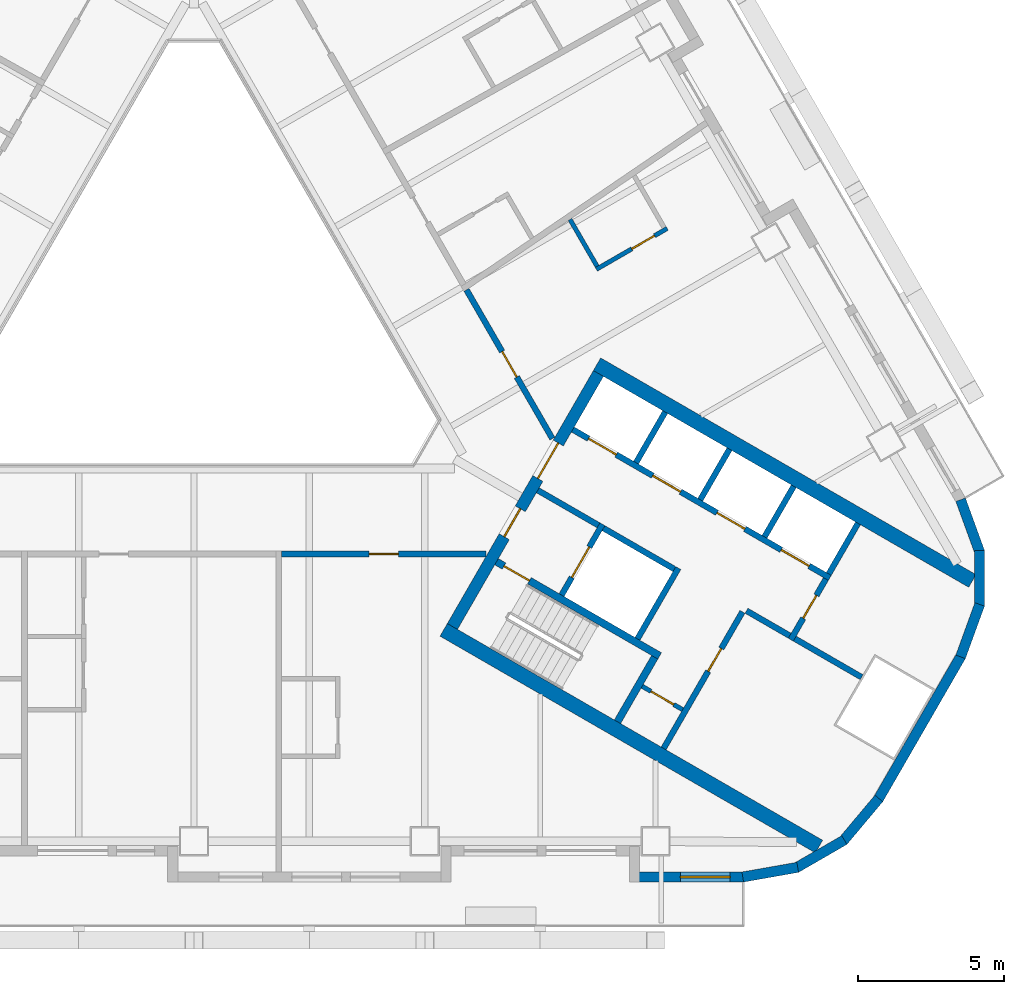
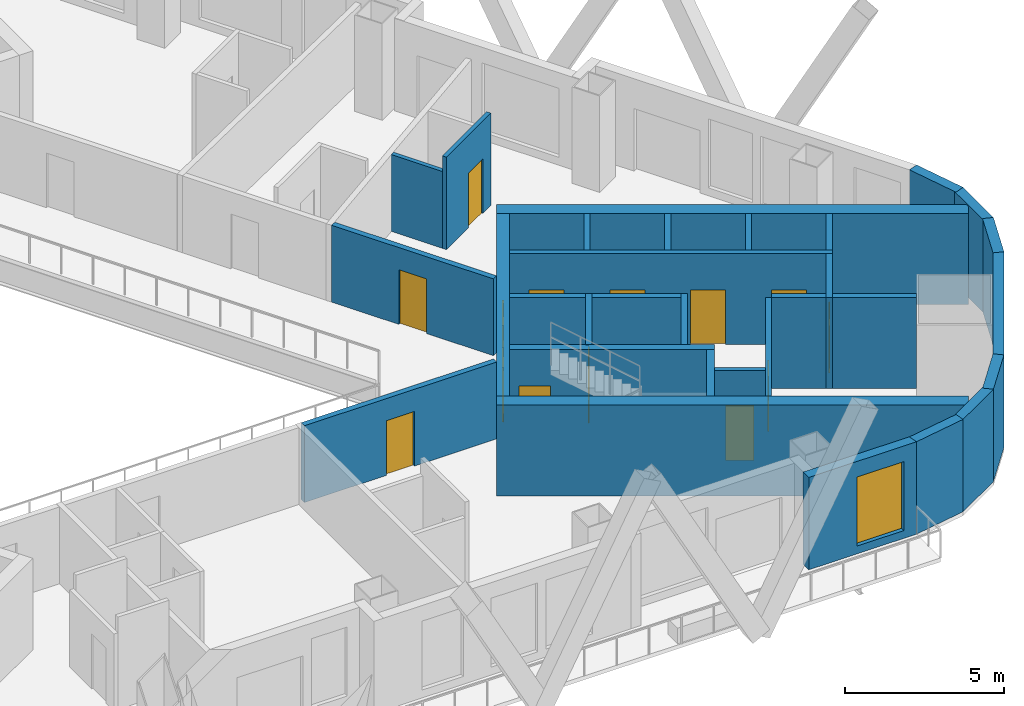
# One storey, part 5 of 14: 31 walls, 14 doors, 1 window, 15 openings.
"""IFC4 building model written with IfcOpenShell, lengths in metres."""

from ifc_helpers import new_model, si_unit, direction, frame, frame_2d, origin, place, context, subcontext, project, spatial, rectangle, extrude, material, layer, layer_set, type_object, element, fill, save


model = new_model("IFC4")

# Units and contexts
model_context = context("Model", 3, precision=1e-05, world=origin(), true_north=direction((0.0, 1.0)))
body_context = subcontext(model_context, "Body", "Model", "MODEL_VIEW")
ifc_project = project(units=[si_unit("LENGTHUNIT", "METRE"), si_unit("AREAUNIT", "SQUARE_METRE"), si_unit("VOLUMEUNIT", "CUBIC_METRE"), si_unit("PLANEANGLEUNIT", "RADIAN"), si_unit("MASSUNIT", "GRAM", prefix="KILO")], contexts=[model_context])

# Site, building, storey
site_placement = place(None, origin())
site = spatial("IfcSite", under=ifc_project, at=site_placement, CompositionType="ELEMENT")
building_placement = place(site_placement, origin())
building = spatial("IfcBuilding", under=site, at=building_placement, Name="Apuvela Tower Hotel", CompositionType="ELEMENT")
storey_placement = place(building_placement, frame((0.0, 0.0, 53.89990234375)))
storey = spatial("IfcBuildingStorey", under=building, at=storey_placement, Name="L10", CompositionType="ELEMENT", Elevation=53.89990234375)

# Wall, openings, doors
ifc_material_1 = material(Name="Concrete C50/60", Category="concrete")
ifc_layer_1 = layer(ifc_material_1, 0.39990234375)
ifc_layer_set_1 = layer_set([ifc_layer_1], Name="COR-WALL-CORE-400")
wall_type_1 = type_object("IfcWallType", Name="COR-WALL-CORE-400", PredefinedType="SHEAR", material=ifc_layer_set_1)
wall_1_placement = place(storey_placement, frame((8.844970703125, -10.880126953125, 0.0), z_axis=(0.0, 0.0, 1.0), x_axis=(0.500004234368, 0.866022959057, 0.0)))
wall_1 = element("IfcWall", 1, at=wall_1_placement, inside=storey, type_object=wall_type_1, Name="Core wall SE", PredefinedType="SHEAR", context=body_context, shape_type="SweptSolid", body=[
    extrude(rectangle(XDim=10.0, YDim=0.39990234375, at=frame_2d((5.0, 0.0))), origin(), (0.0, 0.0, 1.0), 3.5),
])
opening_1_placement = place(wall_1_placement, frame((3.550048828125, 0.0, 0.0)))
opening_1 = element("IfcOpeningElement", 2, at=opening_1_placement, cuts=wall_1, Name="Opening E-FD", PredefinedType="OPENING", context=body_context, shape_type="SweptSolid", body=[
    extrude(rectangle(XDim=1.10009765625, YDim=2.10009765625, at=frame_2d((0.550048828125, 1.050048828125))), frame((0.0, 0.2099609375, 0.0), z_axis=(0.0, -1.0, 0.0), x_axis=(1.0, 0.0, 0.0)), (0.0, 0.0, 1.0), 0.419921875),
])
opening_2_placement = place(wall_1_placement, frame((5.85009765625, 0.0, 0.0)))
opening_2 = element("IfcOpeningElement", 3, at=opening_2_placement, cuts=wall_1, Name="Opening E-GD", PredefinedType="OPENING", context=body_context, shape_type="SweptSolid", body=[
    extrude(rectangle(XDim=1.39990234375, YDim=2.10009765625, at=frame_2d((0.699951171875, 1.050048828125))), frame((0.0, 0.2099609375, 0.0), z_axis=(0.0, -1.0, 0.0), x_axis=(1.0, 0.0, 0.0)), (0.0, 0.0, 1.0), 0.419921875),
])
ifc_material_2 = material(Name="Steel fire door, powder coated", Category="steel")
door_type_1 = type_object("IfcDoorType", Name="COR-FD-1100", OperationType="NOTDEFINED", PredefinedType="DOOR", material=ifc_material_2)
door_1_placement = place(opening_1_placement, frame((1.10009765625, 0.0, 0.0), z_axis=(0.0, 0.0, 1.0), x_axis=(-1.0, 0.0, 0.0)))
door_1 = element("IfcDoor", 4, at=door_1_placement, inside=storey, type_object=door_type_1, Name="Firefighting lobby door E-FD", OperationType="SINGLE_SWING_LEFT", OverallHeight=2.10009765625, OverallWidth=1.10009765625, PredefinedType="DOOR", context=body_context, shape_type="SweptSolid", body=[
    extrude(rectangle(XDim=1.10009765625, YDim=2.10009765625, at=frame_2d((0.550048828125, 1.050048828125))), frame((0.0, 0.02490234375, 0.0), z_axis=(0.0, -1.0, 0.0), x_axis=(1.0, 0.0, 0.0)), (0.0, 0.0, 1.0), 0.050048828125),
])
fill(opening_1, door_1)
ifc_material_3 = material(Name="Glazed steel fire door", Category="steel")
door_type_2 = type_object("IfcDoorType", Name="COR-GD-1400", OperationType="DOUBLE_DOOR_SINGLE_SWING", PredefinedType="DOOR", material=ifc_material_3)
door_2_placement = place(opening_2_placement, frame((1.39990234375, 0.0, 0.0), z_axis=(0.0, 0.0, 1.0), x_axis=(-1.0, 0.0, 0.0)))
door_2 = element("IfcDoor", 5, at=door_2_placement, inside=storey, type_object=door_type_2, Name="Lift lobby door E-GD", OperationType="DOUBLE_DOOR_SINGLE_SWING", OverallHeight=2.10009765625, OverallWidth=1.39990234375, PredefinedType="DOOR", context=body_context, shape_type="SweptSolid", body=[
    extrude(rectangle(XDim=1.39990234375, YDim=2.10009765625, at=frame_2d((0.699951171875, 1.050048828125))), frame((0.0, 0.02490234375, 0.0), z_axis=(0.0, -1.0, 0.0), x_axis=(1.0, 0.0, 0.0)), (0.0, 0.0, 1.0), 0.050048828125),
])
fill(opening_2, door_2)

# Walls
ifc_layer_2 = layer(ifc_material_1, 0.5)
ifc_layer_set_2 = layer_set([ifc_layer_2], Name="COR-WALL-CORE-500")
wall_type_2 = type_object("IfcWallType", Name="COR-WALL-CORE-500", PredefinedType="SHEAR", material=ifc_layer_set_2)
for number, where, z_axis, x_axis, name in (
    (6, (8.546630859375, -10.99658203125, 0.0), (0.0, 0.0, 1.0), (0.866025009528, -0.500000682871, 0.0), "Core wall SE"),
    (7, (13.796630859375, -1.9033203125, 0.0), (0.0, 0.0, 1.0), (0.866025009528, -0.500000682871, 0.0), "Core wall SE"),
):
    element("IfcWall", number, at=place(storey_placement, frame(where, z_axis=z_axis, x_axis=x_axis)), inside=storey, type_object=wall_type_2, Name=name, PredefinedType="SHEAR", context=body_context, shape_type="SweptSolid", body=[
        extrude(rectangle(XDim=14.8369140625, YDim=0.5, at=frame_2d((7.41845703125, 0.0))), origin(), (0.0, 0.0, 1.0), 3.5),
    ])

# Wall, opening, door
ifc_material_4 = material(Name="Blockwork 150 mm plastered", Category="masonry")
ifc_layer_3 = layer(ifc_material_4, 0.14990234375)
ifc_layer_set_3 = layer_set([ifc_layer_3], Name="COR-WALL-PART-150")
wall_type_3 = type_object("IfcWallType", Name="COR-WALL-PART-150", PredefinedType="PARTITIONING", material=ifc_layer_set_3)
wall_2_placement = place(storey_placement, frame((15.341552734375, -12.927734375, 0.0), z_axis=(0.0, 0.0, 1.0), x_axis=(0.865989903783, -0.500061482766, 0.0)))
wall_2 = element("IfcWall", 8, at=wall_2_placement, inside=storey, type_object=wall_type_3, Name="Partition SE", PredefinedType="PARTITIONING", context=body_context, shape_type="SweptSolid", body=[
    extrude(rectangle(XDim=1.599853515625, YDim=0.14990234375, at=frame_2d((0.7998046875, 0.0))), origin(), (0.0, 0.0, 1.0), 3.5),
])
opening_3_placement = place(wall_2_placement, frame((0.35009765625, 0.0, 0.0)))
opening_3 = element("IfcOpeningElement", 9, at=opening_3_placement, cuts=wall_2, Name="Opening E-RD", PredefinedType="OPENING", context=body_context, shape_type="SweptSolid", body=[
    extrude(rectangle(XDim=0.89990234375, YDim=2.10009765625, at=frame_2d((0.449951171875, 1.050048828125))), frame((0.0, 0.0849609375, 0.0), z_axis=(0.0, -1.0, 0.0), x_axis=(1.0, 0.0, 0.0)), (0.0, 0.0, 1.0), 0.169921875),
])
ifc_material_5 = material(Name="Steel access door, powder coated", Category="steel")
door_type_3 = type_object("IfcDoorType", Name="COR-RD-900", OperationType="NOTDEFINED", PredefinedType="DOOR", material=ifc_material_5)
door_3_placement = place(opening_3_placement, frame((0.89990234375, 0.0, 0.0), z_axis=(0.0, 0.0, 1.0), x_axis=(-1.0, 0.0, 0.0)))
door_3 = element("IfcDoor", 10, at=door_3_placement, inside=storey, type_object=door_type_3, Name="Riser door E-RD", OperationType="SINGLE_SWING_LEFT", OverallHeight=2.10009765625, OverallWidth=0.89990234375, PredefinedType="DOOR", context=body_context, shape_type="SweptSolid", body=[
    extrude(rectangle(XDim=0.89990234375, YDim=2.10009765625, at=frame_2d((0.449951171875, 1.050048828125))), frame((0.0, 0.02490234375, 0.0), z_axis=(0.0, -1.0, 0.0), x_axis=(1.0, 0.0, 0.0)), (0.0, 0.0, 1.0), 0.050048828125),
])
fill(opening_3, door_3)

ifc_material_6 = material(Name="Blockwork 200 mm plastered", Category="masonry")
ifc_layer_4 = layer(ifc_material_6, 0.199951171875)
ifc_layer_set_4 = layer_set([ifc_layer_4], Name="COR-WALL-PART-200")
wall_type_4 = type_object("IfcWallType", Name="COR-WALL-PART-200", PredefinedType="PARTITIONING", material=ifc_layer_set_4)
wall_3_placement = place(storey_placement, frame((16.076171875, -15.05517578125, 0.0), z_axis=(0.0, 0.0, 1.0), x_axis=(0.499995103361, 0.866028230842, 0.0)))
wall_3 = element("IfcWall", 11, at=wall_3_placement, inside=storey, type_object=wall_type_4, Name="Partition SE", PredefinedType="PARTITIONING", context=body_context, shape_type="SweptSolid", body=[
    extrude(rectangle(XDim=5.39990234375, YDim=0.199951171875, at=frame_2d((2.699951171875, 0.0))), origin(), (0.0, 0.0, 1.0), 3.5),
])
opening_4_placement = place(wall_3_placement, frame((3.050048828125, 0.0, 0.0)))
opening_4 = element("IfcOpeningElement", 12, at=opening_4_placement, cuts=wall_3, Name="Opening E-RS1", PredefinedType="OPENING", context=body_context, shape_type="SweptSolid", body=[
    extrude(rectangle(XDim=0.89990234375, YDim=2.10009765625, at=frame_2d((0.449951171875, 1.050048828125))), frame((0.0, 0.10986328125, 0.0), z_axis=(0.0, -1.0, 0.0), x_axis=(1.0, 0.0, 0.0)), (0.0, 0.0, 1.0), 0.219970703125),
])
door_type_4 = type_object("IfcDoorType", Name="COR-DR-900", OperationType="NOTDEFINED", PredefinedType="DOOR", material=ifc_material_2)
door_4_placement = place(opening_4_placement, frame((0.89990234375, 0.0, 0.0), z_axis=(0.0, 0.0, 1.0), x_axis=(-1.0, 0.0, 0.0)))
door_4 = element("IfcDoor", 13, at=door_4_placement, inside=storey, type_object=door_type_4, Name="Store door E-RS1", OperationType="SINGLE_SWING_LEFT", OverallHeight=2.10009765625, OverallWidth=0.89990234375, PredefinedType="DOOR", context=body_context, shape_type="SweptSolid", body=[
    extrude(rectangle(XDim=0.89990234375, YDim=2.10009765625, at=frame_2d((0.449951171875, 1.050048828125))), frame((0.0, 0.02490234375, 0.0), z_axis=(0.0, -1.0, 0.0), x_axis=(1.0, 0.0, 0.0)), (0.0, 0.0, 1.0), 0.050048828125),
])
fill(opening_4, door_4)

# Wall
ifc_layer_5 = layer(ifc_material_1, 0.199951171875)
ifc_layer_set_5 = layer_set([ifc_layer_5], Name="COR-WALL-SHAFT-200")
wall_type_5 = type_object("IfcWallType", Name="COR-WALL-SHAFT-200", PredefinedType="SHEAR", material=ifc_layer_set_5)
wall_4_placement = place(storey_placement, frame((15.181396484375, -11.305419921875, 0.0), z_axis=(0.0, 0.0, 1.0), x_axis=(0.49994636267, 0.866056369097, 0.0)))
element("IfcWall", 14, at=wall_4_placement, inside=storey, type_object=wall_type_5, Name="Shaft wall SE", PredefinedType="SHEAR", context=body_context, shape_type="SweptSolid", body=[
    extrude(rectangle(XDim=2.800048828125, YDim=0.199951171875, at=frame_2d((1.39990234375, 0.0))), origin(), (0.0, 0.0, 1.0), 3.5),
])

# Wall, opening, door
wall_5_placement = place(storey_placement, frame((12.583251953125, -9.805419921875, 0.0), z_axis=(0.0, 0.0, 1.0), x_axis=(0.49994636267, 0.866056369097, 0.0)))
wall_5 = element("IfcWall", 15, at=wall_5_placement, inside=storey, type_object=wall_type_5, Name="Shaft wall SE", PredefinedType="SHEAR", context=body_context, shape_type="SweptSolid", body=[
    extrude(rectangle(XDim=2.800048828125, YDim=0.199951171875, at=frame_2d((1.39990234375, 0.0))), origin(), (0.0, 0.0, 1.0), 3.5),
])
opening_5_placement = place(wall_5_placement, frame((0.699951171875, 0.0, 0.0)))
opening_5 = element("IfcOpeningElement", 16, at=opening_5_placement, cuts=wall_5, Name="Opening E-LD-FS3", PredefinedType="OPENING", context=body_context, shape_type="SweptSolid", body=[
    extrude(rectangle(XDim=1.199951171875, YDim=2.10009765625, at=frame_2d((0.60009765625, 1.050048828125))), frame((0.0, 0.10986328125, 0.0), z_axis=(0.0, -1.0, 0.0), x_axis=(1.0, 0.0, 0.0)), (0.0, 0.0, 1.0), 0.219970703125),
])
ifc_material_7 = material(Name="Stainless steel lift landing door", Category="steel")
door_type_5 = type_object("IfcDoorType", Name="COR-LD-1200", OperationType="DOUBLE_DOOR_SLIDING", PredefinedType="DOOR", material=ifc_material_7)
door_5_placement = place(opening_5_placement, origin())
door_5 = element("IfcDoor", 17, at=door_5_placement, inside=storey, type_object=door_type_5, Name="Lift landing door E-LD-FS3", OperationType="DOUBLE_DOOR_SLIDING", OverallHeight=2.10009765625, OverallWidth=1.199951171875, PredefinedType="DOOR", context=body_context, shape_type="SweptSolid", body=[
    extrude(rectangle(XDim=1.199951171875, YDim=2.10009765625, at=frame_2d((0.60009765625, 1.050048828125))), frame((0.0, 0.02490234375, 0.0), z_axis=(0.0, -1.0, 0.0), x_axis=(1.0, 0.0, 0.0)), (0.0, 0.0, 1.0), 0.050048828125),
])
fill(opening_5, door_5)

# Walls
wall_6_placement = place(storey_placement, frame((11.76806640625, -6.217041015625, 0.0), z_axis=(0.0, 0.0, 1.0), x_axis=(0.866050077142, -0.499957262057, 0.0)))
element("IfcWall", 18, at=wall_6_placement, inside=storey, type_object=wall_type_5, Name="Shaft wall SE", PredefinedType="SHEAR", context=body_context, shape_type="SweptSolid", body=[
    extrude(rectangle(XDim=2.400146484375, YDim=0.199951171875, at=frame_2d((1.2001953125, 0.0))), origin(), (0.0, 0.0, 1.0), 3.5),
])
wall_7_placement = place(storey_placement, frame((14.019775390625, -7.51708984375, 0.0), z_axis=(0.0, 0.0, 1.0), x_axis=(0.866034573852, -0.49998411664, 0.0)))
element("IfcWall", 19, at=wall_7_placement, inside=storey, type_object=wall_type_5, Name="Shaft wall SE", PredefinedType="SHEAR", context=body_context, shape_type="SweptSolid", body=[
    extrude(rectangle(XDim=2.7998046875, YDim=0.199951171875, at=frame_2d((1.39990234375, 0.0))), origin(), (0.0, 0.0, 1.0), 3.5),
])

# Wall, openings, doors
wall_8_placement = place(storey_placement, frame((12.968017578125, -4.138427734375, 0.0), z_axis=(0.0, 0.0, 1.0), x_axis=(0.866028328073, -0.49999493495, 0.0)))
wall_8 = element("IfcWall", 20, at=wall_8_placement, inside=storey, type_object=wall_type_5, Name="Shaft wall SE", PredefinedType="SHEAR", context=body_context, shape_type="SweptSolid", body=[
    extrude(rectangle(XDim=10.16015625, YDim=0.199951171875, at=frame_2d((5.080078125, 0.0))), origin(), (0.0, 0.0, 1.0), 3.5),
])
opening_6_placement = place(wall_8_placement, frame((0.6201171875, 0.0, 0.0)))
opening_6 = element("IfcOpeningElement", 21, at=opening_6_placement, cuts=wall_8, Name="Opening E-LD-LR1", PredefinedType="OPENING", context=body_context, shape_type="SweptSolid", body=[
    extrude(rectangle(XDim=1.10009765625, YDim=2.10009765625, at=frame_2d((0.550048828125, 1.050048828125))), frame((0.0, 0.10986328125, 0.0), z_axis=(0.0, -1.0, 0.0), x_axis=(1.0, 0.0, 0.0)), (0.0, 0.0, 1.0), 0.219970703125),
])
opening_7_placement = place(wall_8_placement, frame((3.159912109375, 0.0, 0.0)))
opening_7 = element("IfcOpeningElement", 22, at=opening_7_placement, cuts=wall_8, Name="Opening E-LD-LR2", PredefinedType="OPENING", context=body_context, shape_type="SweptSolid", body=[
    extrude(rectangle(XDim=1.10009765625, YDim=2.10009765625, at=frame_2d((0.550048828125, 1.050048828125))), frame((0.0, 0.10986328125, 0.0), z_axis=(0.0, -1.0, 0.0), x_axis=(1.0, 0.0, 0.0)), (0.0, 0.0, 1.0), 0.219970703125),
])
opening_8_placement = place(wall_8_placement, frame((5.699951171875, 0.0, 0.0)))
opening_8 = element("IfcOpeningElement", 23, at=opening_8_placement, cuts=wall_8, Name="Opening E-LD-LR3", PredefinedType="OPENING", context=body_context, shape_type="SweptSolid", body=[
    extrude(rectangle(XDim=1.10009765625, YDim=2.10009765625, at=frame_2d((0.550048828125, 1.050048828125))), frame((0.0, 0.10986328125, 0.0), z_axis=(0.0, -1.0, 0.0), x_axis=(1.0, 0.0, 0.0)), (0.0, 0.0, 1.0), 0.219970703125),
])
opening_9_placement = place(wall_8_placement, frame((8.239990234375, 0.0, 0.0)))
opening_9 = element("IfcOpeningElement", 24, at=opening_9_placement, cuts=wall_8, Name="Opening E-LD-LR4", PredefinedType="OPENING", context=body_context, shape_type="SweptSolid", body=[
    extrude(rectangle(XDim=1.10009765625, YDim=2.10009765625, at=frame_2d((0.550048828125, 1.050048828125))), frame((0.0, 0.10986328125, 0.0), z_axis=(0.0, -1.0, 0.0), x_axis=(1.0, 0.0, 0.0)), (0.0, 0.0, 1.0), 0.219970703125),
])
door_type_6 = type_object("IfcDoorType", Name="COR-LD-1100", OperationType="DOUBLE_DOOR_SLIDING", PredefinedType="DOOR", material=ifc_material_7)
door_6_placement = place(opening_6_placement, origin())
door_6 = element("IfcDoor", 25, at=door_6_placement, inside=storey, type_object=door_type_6, Name="Lift landing door E-LD-LR1", OperationType="DOUBLE_DOOR_SLIDING", OverallHeight=2.10009765625, OverallWidth=1.10009765625, PredefinedType="DOOR", context=body_context, shape_type="SweptSolid", body=[
    extrude(rectangle(XDim=1.10009765625, YDim=2.10009765625, at=frame_2d((0.550048828125, 1.050048828125))), frame((0.0, 0.02490234375, 0.0), z_axis=(0.0, -1.0, 0.0), x_axis=(1.0, 0.0, 0.0)), (0.0, 0.0, 1.0), 0.050048828125),
])
fill(opening_6, door_6)
door_7_placement = place(opening_7_placement, origin())
door_7 = element("IfcDoor", 26, at=door_7_placement, inside=storey, type_object=door_type_6, Name="Lift landing door E-LD-LR2", OperationType="DOUBLE_DOOR_SLIDING", OverallHeight=2.10009765625, OverallWidth=1.10009765625, PredefinedType="DOOR", context=body_context, shape_type="SweptSolid", body=[
    extrude(rectangle(XDim=1.10009765625, YDim=2.10009765625, at=frame_2d((0.550048828125, 1.050048828125))), frame((0.0, 0.02490234375, 0.0), z_axis=(0.0, -1.0, 0.0), x_axis=(1.0, 0.0, 0.0)), (0.0, 0.0, 1.0), 0.050048828125),
])
fill(opening_7, door_7)
door_8_placement = place(opening_8_placement, origin())
door_8 = element("IfcDoor", 27, at=door_8_placement, inside=storey, type_object=door_type_6, Name="Lift landing door E-LD-LR3", OperationType="DOUBLE_DOOR_SLIDING", OverallHeight=2.10009765625, OverallWidth=1.10009765625, PredefinedType="DOOR", context=body_context, shape_type="SweptSolid", body=[
    extrude(rectangle(XDim=1.10009765625, YDim=2.10009765625, at=frame_2d((0.550048828125, 1.050048828125))), frame((0.0, 0.02490234375, 0.0), z_axis=(0.0, -1.0, 0.0), x_axis=(1.0, 0.0, 0.0)), (0.0, 0.0, 1.0), 0.050048828125),
])
fill(opening_8, door_8)
door_9_placement = place(opening_9_placement, origin())
door_9 = element("IfcDoor", 28, at=door_9_placement, inside=storey, type_object=door_type_6, Name="Lift landing door E-LD-LR4", OperationType="DOUBLE_DOOR_SLIDING", OverallHeight=2.10009765625, OverallWidth=1.10009765625, PredefinedType="DOOR", context=body_context, shape_type="SweptSolid", body=[
    extrude(rectangle(XDim=1.10009765625, YDim=2.10009765625, at=frame_2d((0.550048828125, 1.050048828125))), frame((0.0, 0.02490234375, 0.0), z_axis=(0.0, -1.0, 0.0), x_axis=(1.0, 0.0, 0.0)), (0.0, 0.0, 1.0), 0.050048828125),
])
fill(opening_9, door_9)

# Wall, opening, door
wall_9_placement = place(storey_placement, frame((20.430419921875, -11.33349609375, 0.0), z_axis=(0.0, 0.0, 1.0), x_axis=(0.500001309137, 0.866024647952, 0.0)))
wall_9 = element("IfcWall", 29, at=wall_9_placement, inside=storey, type_object=wall_type_5, Name="Shaft wall SE", PredefinedType="SHEAR", context=body_context, shape_type="SweptSolid", body=[
    extrude(rectangle(XDim=2.39990234375, YDim=0.199951171875, at=frame_2d((1.199951171875, 0.0))), origin(), (0.0, 0.0, 1.0), 3.5),
])
opening_10_placement = place(wall_9_placement, frame((0.85009765625, 0.0, 0.0)))
opening_10 = element("IfcOpeningElement", 30, at=opening_10_placement, cuts=wall_9, Name="Opening E-REP", PredefinedType="OPENING", context=body_context, shape_type="SweptSolid", body=[
    extrude(rectangle(XDim=0.89990234375, YDim=2.10009765625, at=frame_2d((0.449951171875, 1.050048828125))), frame((0.0, 0.10986328125, 0.0), z_axis=(0.0, -1.0, 0.0), x_axis=(1.0, 0.0, 0.0)), (0.0, 0.0, 1.0), 0.219970703125),
])
door_10_placement = place(opening_10_placement, frame((0.89990234375, 0.0, 0.0), z_axis=(0.0, 0.0, 1.0), x_axis=(-1.0, 0.0, 0.0)))
door_10 = element("IfcDoor", 31, at=door_10_placement, inside=storey, type_object=door_type_4, Name="Store door E-REP", OperationType="SINGLE_SWING_RIGHT", OverallHeight=2.10009765625, OverallWidth=0.89990234375, PredefinedType="DOOR", context=body_context, shape_type="SweptSolid", body=[
    extrude(rectangle(XDim=0.89990234375, YDim=2.10009765625, at=frame_2d((0.449951171875, 1.050048828125))), frame((0.0, 0.02490234375, 0.0), z_axis=(0.0, -1.0, 0.0), x_axis=(1.0, 0.0, 0.0)), (0.0, 0.0, 1.0), 0.050048828125),
])
fill(opening_10, door_10)

# Walls
wall_10_placement = place(storey_placement, frame((18.912841796875, -10.342041015625, 0.0), z_axis=(0.0, 0.0, 1.0), x_axis=(0.866038183914, -0.499977863513, 0.0)))
element("IfcWall", 32, at=wall_10_placement, inside=storey, type_object=wall_type_5, Name="Shaft wall SE", PredefinedType="SHEAR", context=body_context, shape_type="SweptSolid", body=[
    extrude(rectangle(XDim=1.7099609375, YDim=0.199951171875, at=frame_2d((0.85498046875, 0.0))), origin(), (0.0, 0.0, 1.0), 3.5),
])
for number, where, z_axis, x_axis, name in (
    (33, (15.131103515625, -5.27197265625, 0.0), (0.0, 0.0, 1.0), (0.499972520799, 0.866041268327, 0.0), "Shaft wall SE"),
    (34, (17.330810546875, -6.5419921875, 0.0), (0.0, 0.0, 1.0), (0.499972520799, 0.866041268327, 0.0), "Shaft wall SE"),
    (35, (19.530517578125, -7.81201171875, 0.0), (0.0, 0.0, 1.0), (0.499972520799, 0.866041268327, 0.0), "Shaft wall SE"),
    (36, (21.73046875, -9.081787109375, 0.0), (0.0, 0.0, 1.0), (0.50002537861, 0.866010750942, 0.0), "Shaft wall SE"),
):
    element("IfcWall", number, at=place(storey_placement, frame(where, z_axis=z_axis, x_axis=x_axis)), inside=storey, type_object=wall_type_5, Name=name, PredefinedType="SHEAR", context=body_context, shape_type="SweptSolid", body=[
        extrude(rectangle(XDim=2.0, YDim=0.199951171875, at=frame_2d((1.0, 0.0))), origin(), (0.0, 0.0, 1.0), 3.5),
    ])
wall_11_placement = place(storey_placement, frame((20.56689453125, -11.297119140625, 0.0), z_axis=(0.0, 0.0, 1.0), x_axis=(0.866060851709, -0.499938597367, 0.0)))
element("IfcWall", 37, at=wall_11_placement, inside=storey, type_object=wall_type_5, Name="Shaft wall SE", PredefinedType="SHEAR", context=body_context, shape_type="SweptSolid", body=[
    extrude(rectangle(XDim=2.639892578125, YDim=0.199951171875, at=frame_2d((1.31982421875, 0.0))), origin(), (0.0, 0.0, 1.0), 3.5),
])

# Wall, opening, door
ifc_layer_6 = layer(ifc_material_1, 0.25)
ifc_layer_set_6 = layer_set([ifc_layer_6], Name="COR-WALL-STAIR-250")
wall_type_6 = type_object("IfcWallType", Name="COR-WALL-STAIR-250", PredefinedType="SHEAR", material=ifc_layer_set_6)
wall_12_placement = place(storey_placement, frame((10.355712890625, -8.66357421875, 0.0), z_axis=(0.0, 0.0, 1.0), x_axis=(0.866028629588, -0.499994412703, 0.0)))
wall_12 = element("IfcWall", 38, at=wall_12_placement, inside=storey, type_object=wall_type_6, Name="Stair wall SE", PredefinedType="SHEAR", context=body_context, shape_type="SweptSolid", body=[
    extrude(rectangle(XDim=6.44970703125, YDim=0.25, at=frame_2d((3.224853515625, 0.0))), origin(), (0.0, 0.0, 1.0), 3.5),
])
opening_11_placement = place(wall_12_placement, frame((0.300048828125, 0.0, 0.0)))
opening_11 = element("IfcOpeningElement", 39, at=opening_11_placement, cuts=wall_12, Name="Opening E-SD", PredefinedType="OPENING", context=body_context, shape_type="SweptSolid", body=[
    extrude(rectangle(XDim=1.0, YDim=2.10009765625, at=frame_2d((0.5, 1.050048828125))), frame((0.0, 0.135009765625, 0.0), z_axis=(0.0, -1.0, 0.0), x_axis=(1.0, 0.0, 0.0)), (0.0, 0.0, 1.0), 0.27001953125),
])
door_type_7 = type_object("IfcDoorType", Name="COR-SD-1000", OperationType="NOTDEFINED", PredefinedType="DOOR", material=ifc_material_2)
door_11_placement = place(opening_11_placement, frame((1.0, 0.0, 0.0), z_axis=(0.0, 0.0, 1.0), x_axis=(-1.0, 0.0, 0.0)))
door_11 = element("IfcDoor", 40, at=door_11_placement, inside=storey, type_object=door_type_7, Name="Stair door E-SD", OperationType="SINGLE_SWING_LEFT", OverallHeight=2.10009765625, OverallWidth=1.0, PredefinedType="DOOR", context=body_context, shape_type="SweptSolid", body=[
    extrude(rectangle(XDim=1.0, YDim=2.10009765625, at=frame_2d((0.5, 1.050048828125))), frame((0.0, 0.02490234375, 0.0), z_axis=(0.0, -1.0, 0.0), x_axis=(1.0, 0.0, 0.0)), (0.0, 0.0, 1.0), 0.050048828125),
])
fill(opening_11, door_11)

# Wall
wall_13_placement = place(storey_placement, frame((14.49560546875, -14.142578125, 0.0), z_axis=(0.0, 0.0, 1.0), x_axis=(0.500062241894, 0.865989465428, 0.0)))
element("IfcWall", 41, at=wall_13_placement, inside=storey, type_object=wall_type_6, Name="Stair wall SE", PredefinedType="SHEAR", context=body_context, shape_type="SweptSolid", body=[
    extrude(rectangle(XDim=2.550048828125, YDim=0.25, at=frame_2d((1.27490234375, 0.0))), origin(), (0.0, 0.0, 1.0), 3.5),
])

# Wall, opening, window
ifc_material_8 = material(Name="Concrete C40/50, dark pigmented precast panel", Category="concrete")
ifc_layer_7 = layer(ifc_material_8, 0.35009765625)
ifc_layer_set_7 = layer_set([ifc_layer_7], Name="ENV-WALL-350")
wall_type_7 = type_object("IfcWallType", Name="ENV-WALL-350", PredefinedType="SOLIDWALL", material=ifc_layer_set_7)
wall_14_placement = place(storey_placement, frame((14.89990234375, -19.455078125, 0.0), z_axis=(0.0, 0.0, 1.0), x_axis=(1.0, 0.0, 0.0)))
wall_14 = element("IfcWall", 42, at=wall_14_placement, inside=storey, type_object=wall_type_7, Name="External wall L10-25", PredefinedType="SOLIDWALL", context=body_context, shape_type="SweptSolid", body=[
    extrude(rectangle(XDim=3.916015625, YDim=0.35009765625, at=frame_2d((1.9580078125, 0.0))), origin(), (0.0, 0.0, 1.0), 3.550048828125),
])
opening_12_placement = place(wall_14_placement, frame((1.749755859375, 0.0, 0.300048828125)))
opening_12 = element("IfcOpeningElement", 43, at=opening_12_placement, cuts=wall_14, Name="Opening WN17", PredefinedType="OPENING", context=body_context, shape_type="SweptSolid", body=[
    extrude(rectangle(XDim=1.699951171875, YDim=2.64990234375, at=frame_2d((0.85009765625, 1.324951171875))), frame((0.0, 0.18505859375, 0.0), z_axis=(0.0, -1.0, 0.0), x_axis=(1.0, 0.0, 0.0)), (0.0, 0.0, 1.0), 0.3701171875),
])
ifc_material_9 = material(Name="Glass, dark tinted laminated insulated glazing unit", Category="glass")
window_type = type_object("IfcWindowType", Name="ENV-WIN-1700x2650", PartitioningType="SINGLE_PANEL", PredefinedType="WINDOW", material=ifc_material_9)
window_placement = place(opening_12_placement, origin())
window = element("IfcWindow", 44, at=window_placement, inside=storey, type_object=window_type, Name="Window WN17", OverallHeight=2.64990234375, OverallWidth=1.699951171875, PartitioningType="SINGLE_PANEL", PredefinedType="WINDOW", context=body_context, shape_type="SweptSolid", body=[
    extrude(rectangle(XDim=1.699951171875, YDim=2.64990234375, at=frame_2d((0.85009765625, 1.324951171875))), frame((0.0, 0.030029296875, 0.0), z_axis=(0.0, -1.0, 0.0), x_axis=(1.0, 0.0, 0.0)), (0.0, 0.0, 1.0), 0.06005859375),
])
fill(opening_12, window)

# Walls
wall_15_placement = place(storey_placement, frame((18.785400390625, -19.457763671875, 0.0), z_axis=(0.0, 0.0, 1.0), x_axis=(0.984798995425, 0.173697837091, 0.0)))
element("IfcWall", 45, at=wall_15_placement, inside=storey, type_object=wall_type_7, Name="External wall L10-26", PredefinedType="SOLIDWALL", context=body_context, shape_type="SweptSolid", body=[
    extrude(rectangle(XDim=1.91015625, YDim=0.35009765625, at=frame_2d((0.955078125, 0.0))), origin(), (0.0, 0.0, 1.0), 3.550048828125),
])
for number, where, z_axis, x_axis, name in (
    (46, (20.609619140625, -19.146728515625, 0.0), (0.0, 0.0, 1.0), (0.866000389056, 0.500043324278, 0.0), "External wall L10-27"),
    (47, (22.21728515625, -18.230712890625, 0.0), (0.0, 0.0, 1.0), (0.642733291068, 0.76609001857, 0.0), "External wall L10-28"),
):
    element("IfcWall", number, at=place(storey_placement, frame(where, z_axis=z_axis, x_axis=x_axis)), inside=storey, type_object=wall_type_7, Name=name, PredefinedType="SOLIDWALL", context=body_context, shape_type="SweptSolid", body=[
        extrude(rectangle(XDim=1.909912109375, YDim=0.35009765625, at=frame_2d((0.955078125, 0.0))), origin(), (0.0, 0.0, 1.0), 3.550048828125),
    ])
wall_16_placement = place(storey_placement, frame((23.427490234375, -16.79248046875, 0.0), z_axis=(0.0, 0.0, 1.0), x_axis=(0.500018773155, 0.866014564827, 0.0)))
element("IfcWall", 48, at=wall_16_placement, inside=storey, type_object=wall_type_7, Name="External wall L10-29", PredefinedType="SOLIDWALL", context=body_context, shape_type="SweptSolid", body=[
    extrude(rectangle(XDim=5.657958984375, YDim=0.35009765625, at=frame_2d((2.8291015625, 0.0))), origin(), (0.0, 0.0, 1.0), 3.550048828125),
])
for number, where, z_axis, x_axis, name in (
    (49, (26.24365234375, -11.920166015625, 0.0), (0.0, 0.0, 1.0), (0.342030395486, 0.939688889242, 0.0), "External wall L10-30"),
    (50, (26.88623046875, -10.18505859375, 0.0), (0.0, 0.0, 1.0), (0.0, 1.0, 0.0), "External wall L10-31"),
    (51, (26.89697265625, -8.334716796875, 0.0), (0.0, 0.0, 1.0), (-0.342030395486, 0.939688889242, 0.0), "External wall L10-32"),
):
    element("IfcWall", number, at=place(storey_placement, frame(where, z_axis=z_axis, x_axis=x_axis)), inside=storey, type_object=wall_type_7, Name=name, PredefinedType="SOLIDWALL", context=body_context, shape_type="SweptSolid", body=[
        extrude(rectangle(XDim=1.91015625, YDim=0.35009765625, at=frame_2d((0.955078125, 0.0))), origin(), (0.0, 0.0, 1.0), 3.550048828125),
    ])

# Wall, opening, door
ifc_material_10 = material(Name="Gypsum board corridor wall on twin steel stud, acoustic", Category="steel")
ifc_layer_8 = layer(ifc_material_10, 0.199951171875)
ifc_layer_set_8 = layer_set([ifc_layer_8], Name="GST-PW2")
wall_type_8 = type_object("IfcWallType", Name="GST-PW2", PredefinedType="PARTITIONING", material=ifc_layer_set_8)
wall_17_placement = place(storey_placement, frame((9.98828125, -8.39990234375, 0.0), z_axis=(0.0, 0.0, 1.0), x_axis=(-1.0, 0.0, 0.0)))
wall_17 = element("IfcWall", 52, at=wall_17_placement, inside=storey, type_object=wall_type_8, Name="L10 partition 17", PredefinedType="PARTITIONING", context=body_context, shape_type="SweptSolid", body=[
    extrude(rectangle(XDim=6.98828125, YDim=0.199951171875, at=frame_2d((3.494140625, 0.0))), origin(), (0.0, 0.0, 1.0), 2.9501953125),
])
opening_13_placement = place(wall_17_placement, frame((2.994140625, 0.0, 0.0)))
opening_13 = element("IfcOpeningElement", 53, at=opening_13_placement, cuts=wall_17, Name="Opening GD02-07", PredefinedType="OPENING", context=body_context, shape_type="SweptSolid", body=[
    extrude(rectangle(XDim=1.0, YDim=2.10009765625, at=frame_2d((0.5, 1.050048828125))), frame((0.0, 0.10986328125, 0.0), z_axis=(0.0, -1.0, 0.0), x_axis=(1.0, 0.0, 0.0)), (0.0, 0.0, 1.0), 0.219970703125),
])
ifc_material_11 = material(Name="Timber door leaf in steel frame", Category="steel")
door_type_8 = type_object("IfcDoorType", Name="GST-D1", OperationType="NOTDEFINED", PredefinedType="DOOR", material=ifc_material_11)
door_12_placement = place(opening_13_placement, origin())
door_12 = element("IfcDoor", 54, at=door_12_placement, inside=storey, type_object=door_type_8, Name="Door L10-07", OperationType="SINGLE_SWING_RIGHT", OverallHeight=2.10009765625, OverallWidth=1.0, PredefinedType="DOOR", context=body_context, shape_type="SweptSolid", body=[
    extrude(rectangle(XDim=1.0, YDim=2.10009765625, at=frame_2d((0.5, 1.050048828125))), frame((0.0, 0.02490234375, 0.0), z_axis=(0.0, -1.0, 0.0), x_axis=(1.0, 0.0, 0.0)), (0.0, 0.0, 1.0), 0.050048828125),
])
fill(opening_13, door_12)

wall_18_placement = place(storey_placement, frame((9.32861328125, 0.642578125, 0.0), z_axis=(0.0, 0.0, 1.0), x_axis=(0.500001579811, -0.866024491678, 0.0)))
wall_18 = element("IfcWall", 55, at=wall_18_placement, inside=storey, type_object=wall_type_8, Name="L10 partition 21", PredefinedType="PARTITIONING", context=body_context, shape_type="SweptSolid", body=[
    extrude(rectangle(XDim=5.88037109375, YDim=0.199951171875, at=frame_2d((2.940185546875, 0.0))), origin(), (0.0, 0.0, 1.0), 2.9501953125),
])
opening_14_placement = place(wall_18_placement, frame((2.440185546875, 0.0, 0.0)))
opening_14 = element("IfcOpeningElement", 56, at=opening_14_placement, cuts=wall_18, Name="Opening GD02-09", PredefinedType="OPENING", context=body_context, shape_type="SweptSolid", body=[
    extrude(rectangle(XDim=1.0, YDim=2.10009765625, at=frame_2d((0.5, 1.050048828125))), frame((0.0, 0.10986328125, 0.0), z_axis=(0.0, -1.0, 0.0), x_axis=(1.0, 0.0, 0.0)), (0.0, 0.0, 1.0), 0.219970703125),
])
door_13_placement = place(opening_14_placement, origin())
door_13 = element("IfcDoor", 57, at=door_13_placement, inside=storey, type_object=door_type_8, Name="Door L10-09", OperationType="SINGLE_SWING_LEFT", OverallHeight=2.10009765625, OverallWidth=1.0, PredefinedType="DOOR", context=body_context, shape_type="SweptSolid", body=[
    extrude(rectangle(XDim=1.0, YDim=2.10009765625, at=frame_2d((0.5, 1.050048828125))), frame((0.0, 0.02490234375, 0.0), z_axis=(0.0, -1.0, 0.0), x_axis=(1.0, 0.0, 0.0)), (0.0, 0.0, 1.0), 0.050048828125),
])
fill(opening_14, door_13)

ifc_material_12 = material(Name="Moisture-resistant gypsum board wet wall on steel stud", Category="steel")
ifc_layer_9 = layer(ifc_material_12, 0.14990234375)
ifc_layer_set_9 = layer_set([ifc_layer_9], Name="GST-PW3")
wall_type_9 = type_object("IfcWallType", Name="GST-PW3", PredefinedType="PARTITIONING", material=ifc_layer_set_9)
wall_19_placement = place(storey_placement, frame((13.7724609375, 1.345458984375, 0.0), z_axis=(0.0, 0.0, 1.0), x_axis=(0.865996816683, 0.500049511043, 0.0)))
wall_19 = element("IfcWall", 58, at=wall_19_placement, inside=storey, type_object=wall_type_9, Name="L10 partition 22", PredefinedType="PARTITIONING", context=body_context, shape_type="SweptSolid", body=[
    extrude(rectangle(XDim=2.800048828125, YDim=0.14990234375, at=frame_2d((1.39990234375, 0.0))), origin(), (0.0, 0.0, 1.0), 3.550048828125),
])
opening_15_placement = place(wall_19_placement, frame((1.39990234375, 0.0, 0.0)))
opening_15 = element("IfcOpeningElement", 59, at=opening_15_placement, cuts=wall_19, Name="Opening GD02-08", PredefinedType="OPENING", context=body_context, shape_type="SweptSolid", body=[
    extrude(rectangle(XDim=0.89990234375, YDim=2.10009765625, at=frame_2d((0.449951171875, 1.050048828125))), frame((0.0, 0.0849609375, 0.0), z_axis=(0.0, -1.0, 0.0), x_axis=(1.0, 0.0, 0.0)), (0.0, 0.0, 1.0), 0.169921875),
])
door_type_9 = type_object("IfcDoorType", Name="GST-D2", OperationType="NOTDEFINED", PredefinedType="DOOR", material=ifc_material_11)
door_14_placement = place(opening_15_placement, origin())
door_14 = element("IfcDoor", 60, at=door_14_placement, inside=storey, type_object=door_type_9, Name="Door L10-08", OperationType="SINGLE_SWING_RIGHT", OverallHeight=2.10009765625, OverallWidth=0.89990234375, PredefinedType="DOOR", context=body_context, shape_type="SweptSolid", body=[
    extrude(rectangle(XDim=0.89990234375, YDim=2.10009765625, at=frame_2d((0.449951171875, 1.050048828125))), frame((0.0, 0.02490234375, 0.0), z_axis=(0.0, -1.0, 0.0), x_axis=(1.0, 0.0, 0.0)), (0.0, 0.0, 1.0), 0.050048828125),
])
fill(opening_15, door_14)

# Wall
wall_20_placement = place(storey_placement, frame((13.7998046875, 1.447998046875, 0.0), z_axis=(0.0, 0.0, 1.0), x_axis=(-0.499988210251, 0.866032210492, 0.0)))
element("IfcWall", 61, at=wall_20_placement, inside=storey, type_object=wall_type_9, Name="L10 partition 24", PredefinedType="PARTITIONING", context=body_context, shape_type="SweptSolid", body=[
    extrude(rectangle(XDim=1.85546875, YDim=0.14990234375, at=frame_2d((0.927734375, 0.0))), origin(), (0.0, 0.0, 1.0), 2.9501953125),
])

save(model, "model.ifc")
